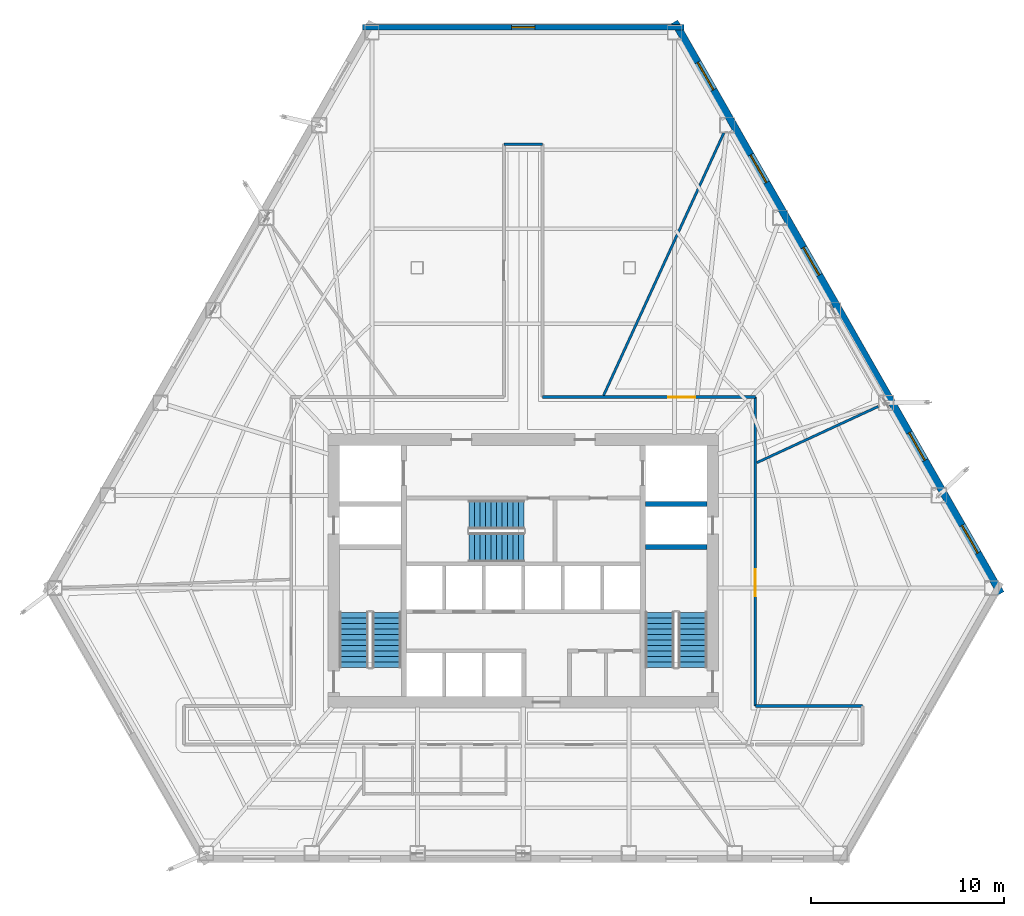
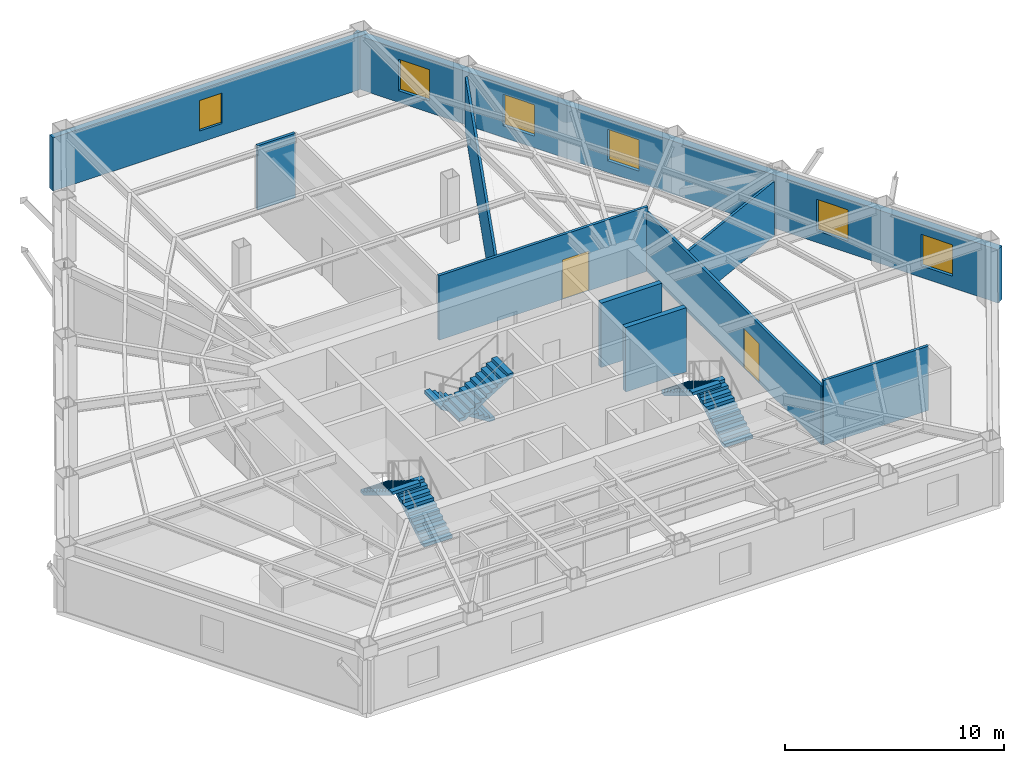
# One storey, part 10 of 12: 10 walls, 6 stair flights, 6 windows, 2 doors, 8 openings, 3 elements without a shape of their own.
"""IFC4 building model written with IfcOpenShell, lengths in metres."""

from ifc_helpers import new_model, si_unit, direction, frame, frame_2d, origin, place, context, subcontext, project, spatial, polyline, rectangle, outline, extrude, material, layer, layer_set, type_object, element, fill, aggregate, save


model = new_model("IFC4")

# Units and contexts
model_context = context("Model", 3, precision=1e-05, world=origin(), true_north=direction((0.0, 1.0)))
body_context = subcontext(model_context, "Body", "Model", "MODEL_VIEW")
ifc_project = project(units=[si_unit("LENGTHUNIT", "METRE"), si_unit("AREAUNIT", "SQUARE_METRE"), si_unit("VOLUMEUNIT", "CUBIC_METRE"), si_unit("PLANEANGLEUNIT", "RADIAN"), si_unit("MASSUNIT", "GRAM", prefix="KILO")], contexts=[model_context])

# Site, building, storey
site_placement = place(None, origin())
site = spatial("IfcSite", under=ifc_project, at=site_placement, CompositionType="ELEMENT")
building_placement = place(site_placement, origin())
building = spatial("IfcBuilding", under=site, at=building_placement, Name="Kavelnor Concourse Tower", CompositionType="ELEMENT")
storey_placement = place(building_placement, frame((0.0, 0.0, 29.10009765625)))
storey = spatial("IfcBuildingStorey", under=building, at=storey_placement, Name="L07", CompositionType="ELEMENT", Elevation=29.10009765625)

# Wall, opening, window
ifc_material_1 = material(Name="Buff ironspot clay face brick masonry", Category="masonry")
ifc_layer_1 = layer(ifc_material_1, 0.300048828125, Name="Buff ironspot clay face brick masonry")
ifc_layer_set_1 = layer_set([ifc_layer_1], Name="Buff ironspot clay face brick masonry")
wall_type_1 = type_object("IfcWallType", Name="WL-EXT-BUFF-BRICK-FOLD-300", PredefinedType="STANDARD", material=ifc_layer_set_1)
wall_1_placement = place(storey_placement, frame((29.681640625, 44.25732421875, 0.0), z_axis=(0.0, 0.0, 1.0), x_axis=(1.0, 0.0, 0.0)))
wall_1 = element("IfcWall", 1, at=wall_1_placement, inside=storey, type_object=wall_type_1, Name="L07 Exterior Brick Facade Wall E0", PredefinedType="STANDARD", context=body_context, shape_type="SweptSolid", body=[
    extrude(rectangle(XDim=16.63671875, YDim=0.300048828125, at=frame_2d((8.318359375, 0.0))), origin(), (0.0, 0.0, 1.0), 2.969970703125),
])
opening_1_placement = place(wall_1_placement, frame((7.718505859375, 0.0, 0.64990234375)))
opening_1 = element("IfcOpeningElement", 2, at=opening_1_placement, cuts=wall_1, Name="Opening W-05", PredefinedType="OPENING", context=body_context, shape_type="SweptSolid", body=[
    extrude(rectangle(XDim=1.199951171875, YDim=1.699951171875, at=frame_2d((0.60009765625, 0.85009765625))), frame((0.0, 0.16015625, 0.0), z_axis=(0.0, -1.0, 0.0), x_axis=(1.0, 0.0, 0.0)), (0.0, 0.0, 1.0), 0.320068359375),
])
ifc_material_2 = material(Name="Double low-E argon insulated glazing", Category="glass")
window_type_1 = type_object("IfcWindowType", Name="WIN-FOLD-1200", PartitioningType="SINGLE_PANEL", PredefinedType="WINDOW", material=ifc_material_2)
window_1_placement = place(opening_1_placement, origin())
window_1 = element("IfcWindow", 3, at=window_1_placement, inside=storey, type_object=window_type_1, Name="L07 Chamfer-Fold Facet Window C0", OverallHeight=1.699951171875, OverallWidth=1.199951171875, PartitioningType="SINGLE_PANEL", PredefinedType="WINDOW", context=body_context, shape_type="SweptSolid", body=[
    extrude(rectangle(XDim=1.199951171875, YDim=1.699951171875, at=frame_2d((0.60009765625, 0.85009765625))), frame((0.0, 0.030029296875, 0.0), z_axis=(0.0, -1.0, 0.0), x_axis=(1.0, 0.0, 0.0)), (0.0, 0.0, 1.0), 0.06005859375),
])
fill(opening_1, window_1)

# Wall, openings, windows
ifc_material_3 = material(Name="Red-ochre clay face brick masonry", Category="masonry")
ifc_layer_2 = layer(ifc_material_3, 0.3798828125, Name="Red-ochre clay face brick masonry")
ifc_layer_set_2 = layer_set([ifc_layer_2], Name="Red-ochre clay face brick masonry")
wall_type_2 = type_object("IfcWallType", Name="WL-EXT-RED-BRICK-PIER-380", PredefinedType="STANDARD", material=ifc_layer_set_2)
wall_2_placement = place(storey_placement, frame((45.8369140625, 44.537109375, 0.0), z_axis=(0.0, 0.0, 1.0), x_axis=(0.495711630902, -0.868487178367, 0.0)))
wall_2 = element("IfcWall", 4, at=wall_2_placement, inside=storey, type_object=wall_type_2, Name="L07 Exterior Brick Facade Wall E5", PredefinedType="STANDARD", context=body_context, shape_type="SweptSolid", body=[
    extrude(rectangle(XDim=34.09228515625, YDim=0.3798828125, at=frame_2d((17.046142578125, 0.0))), origin(), (0.0, 0.0, 1.0), 2.969970703125),
])
opening_2_placement = place(wall_2_placement, frame((30.031494140625, 0.0, 0.64990234375)))
opening_2 = element("IfcOpeningElement", 5, at=opening_2_placement, cuts=wall_2, Name="Opening W-01", PredefinedType="OPENING", context=body_context, shape_type="SweptSolid", body=[
    extrude(rectangle(XDim=1.64990234375, YDim=1.75, at=frame_2d((0.824951171875, 0.875))), frame((0.0, 0.199951171875, 0.0), z_axis=(0.0, -1.0, 0.0), x_axis=(1.0, 0.0, 0.0)), (0.0, 0.0, 1.0), 0.39990234375),
])
opening_3_placement = place(wall_2_placement, frame((24.50830078125, 0.0, 0.64990234375)))
opening_3 = element("IfcOpeningElement", 6, at=opening_3_placement, cuts=wall_2, Name="Opening W-01", PredefinedType="OPENING", context=body_context, shape_type="SweptSolid", body=[
    extrude(rectangle(XDim=1.64990234375, YDim=1.75, at=frame_2d((0.824951171875, 0.875))), frame((0.0, 0.199951171875, 0.0), z_axis=(0.0, -1.0, 0.0), x_axis=(1.0, 0.0, 0.0)), (0.0, 0.0, 1.0), 0.39990234375),
])
opening_4_placement = place(wall_2_placement, frame((13.4619140625, 0.0, 0.64990234375)))
opening_4 = element("IfcOpeningElement", 7, at=opening_4_placement, cuts=wall_2, Name="Opening W-01", PredefinedType="OPENING", context=body_context, shape_type="SweptSolid", body=[
    extrude(rectangle(XDim=1.64990234375, YDim=1.75, at=frame_2d((0.824951171875, 0.875))), frame((0.0, 0.199951171875, 0.0), z_axis=(0.0, -1.0, 0.0), x_axis=(1.0, 0.0, 0.0)), (0.0, 0.0, 1.0), 0.39990234375),
])
opening_5_placement = place(wall_2_placement, frame((7.938720703125, 0.0, 0.64990234375)))
opening_5 = element("IfcOpeningElement", 8, at=opening_5_placement, cuts=wall_2, Name="Opening W-01", PredefinedType="OPENING", context=body_context, shape_type="SweptSolid", body=[
    extrude(rectangle(XDim=1.64990234375, YDim=1.75, at=frame_2d((0.824951171875, 0.875))), frame((0.0, 0.199951171875, 0.0), z_axis=(0.0, -1.0, 0.0), x_axis=(1.0, 0.0, 0.0)), (0.0, 0.0, 1.0), 0.39990234375),
])
opening_6_placement = place(wall_2_placement, frame((2.415283203125, 0.0, 0.64990234375)))
opening_6 = element("IfcOpeningElement", 9, at=opening_6_placement, cuts=wall_2, Name="Opening W-01", PredefinedType="OPENING", context=body_context, shape_type="SweptSolid", body=[
    extrude(rectangle(XDim=1.64990234375, YDim=1.75, at=frame_2d((0.824951171875, 0.875))), frame((0.0, 0.199951171875, 0.0), z_axis=(0.0, -1.0, 0.0), x_axis=(1.0, 0.0, 0.0)), (0.0, 0.0, 1.0), 0.39990234375),
])
window_type_2 = type_object("IfcWindowType", Name="WIN-PIER-Z1-1800", PartitioningType="SINGLE_PANEL", PredefinedType="WINDOW", material=ifc_material_2)
window_2_placement = place(opening_2_placement, origin())
window_2 = element("IfcWindow", 10, at=window_2_placement, inside=storey, type_object=window_type_2, Name="L07 Deep-Set Brick Pier Window F2-B0", OverallHeight=1.75, OverallWidth=1.64990234375, PartitioningType="SINGLE_PANEL", PredefinedType="WINDOW", context=body_context, shape_type="SweptSolid", body=[
    extrude(rectangle(XDim=1.64990234375, YDim=1.75, at=frame_2d((0.824951171875, 0.875))), frame((0.0, 0.030029296875, 0.0), z_axis=(0.0, -1.0, 0.0), x_axis=(1.0, 0.0, 0.0)), (0.0, 0.0, 1.0), 0.06005859375),
])
fill(opening_2, window_2)
window_3_placement = place(opening_3_placement, origin())
window_3 = element("IfcWindow", 11, at=window_3_placement, inside=storey, type_object=window_type_2, Name="L07 Deep-Set Brick Pier Window F2-B1", OverallHeight=1.75, OverallWidth=1.64990234375, PartitioningType="SINGLE_PANEL", PredefinedType="WINDOW", context=body_context, shape_type="SweptSolid", body=[
    extrude(rectangle(XDim=1.64990234375, YDim=1.75, at=frame_2d((0.824951171875, 0.875))), frame((0.0, 0.030029296875, 0.0), z_axis=(0.0, -1.0, 0.0), x_axis=(1.0, 0.0, 0.0)), (0.0, 0.0, 1.0), 0.06005859375),
])
fill(opening_3, window_3)
window_4_placement = place(opening_4_placement, origin())
window_4 = element("IfcWindow", 12, at=window_4_placement, inside=storey, type_object=window_type_2, Name="L07 Deep-Set Brick Pier Window F2-B3", OverallHeight=1.75, OverallWidth=1.64990234375, PartitioningType="SINGLE_PANEL", PredefinedType="WINDOW", context=body_context, shape_type="SweptSolid", body=[
    extrude(rectangle(XDim=1.64990234375, YDim=1.75, at=frame_2d((0.824951171875, 0.875))), frame((0.0, 0.030029296875, 0.0), z_axis=(0.0, -1.0, 0.0), x_axis=(1.0, 0.0, 0.0)), (0.0, 0.0, 1.0), 0.06005859375),
])
fill(opening_4, window_4)
window_5_placement = place(opening_5_placement, origin())
window_5 = element("IfcWindow", 13, at=window_5_placement, inside=storey, type_object=window_type_2, Name="L07 Deep-Set Brick Pier Window F2-B4", OverallHeight=1.75, OverallWidth=1.64990234375, PartitioningType="SINGLE_PANEL", PredefinedType="WINDOW", context=body_context, shape_type="SweptSolid", body=[
    extrude(rectangle(XDim=1.64990234375, YDim=1.75, at=frame_2d((0.824951171875, 0.875))), frame((0.0, 0.030029296875, 0.0), z_axis=(0.0, -1.0, 0.0), x_axis=(1.0, 0.0, 0.0)), (0.0, 0.0, 1.0), 0.06005859375),
])
fill(opening_5, window_5)
window_6_placement = place(opening_6_placement, origin())
window_6 = element("IfcWindow", 14, at=window_6_placement, inside=storey, type_object=window_type_2, Name="L07 Deep-Set Brick Pier Window F2-B5", OverallHeight=1.75, OverallWidth=1.64990234375, PartitioningType="SINGLE_PANEL", PredefinedType="WINDOW", context=body_context, shape_type="SweptSolid", body=[
    extrude(rectangle(XDim=1.64990234375, YDim=1.75, at=frame_2d((0.824951171875, 0.875))), frame((0.0, 0.030029296875, 0.0), z_axis=(0.0, -1.0, 0.0), x_axis=(1.0, 0.0, 0.0)), (0.0, 0.0, 1.0), 0.06005859375),
])
fill(opening_6, window_6)

# Wall
ifc_material_4 = material(Name="Gypsum plasterboard on light-gauge steel studs", Category="steel")
ifc_layer_3 = layer(ifc_material_4, 0.14501953125, Name="Gypsum plasterboard on light-gauge steel studs")
ifc_layer_set_3 = layer_set([ifc_layer_3], Name="Gypsum plasterboard on light-gauge steel studs")
wall_type_3 = type_object("IfcWallType", Name="WL-INT-CORR-145", PredefinedType="PARTITIONING", material=ifc_layer_set_3)
wall_3_placement = place(storey_placement, frame((37.0, 38.199951171875, 0.0), z_axis=(0.0, 0.0, 1.0), x_axis=(1.0, 0.0, 0.0)))
element("IfcWall", 15, at=wall_3_placement, inside=storey, type_object=wall_type_3, Name="L07 Corridor Wall WL-L07-CR-05", PredefinedType="PARTITIONING", context=body_context, shape_type="SweptSolid", body=[
    extrude(rectangle(XDim=2.0, YDim=0.14501953125, at=frame_2d((1.0, 0.0))), origin(), (0.0, 0.0, 1.0), 3.58984375),
])

# Wall, opening, door
wall_4_placement = place(storey_placement, frame((39.0, 25.10009765625, 0.0), z_axis=(0.0, 0.0, 1.0), x_axis=(1.0, 0.0, 0.0)))
wall_4 = element("IfcWall", 16, at=wall_4_placement, inside=storey, type_object=wall_type_3, Name="L07 Corridor Wall WL-L07-CR-07", PredefinedType="PARTITIONING", context=body_context, shape_type="SweptSolid", body=[
    extrude(rectangle(XDim=11.02001953125, YDim=0.14501953125, at=frame_2d((5.510009765625, 0.0))), origin(), (0.0, 0.0, 1.0), 3.58984375),
])
opening_7_placement = place(wall_4_placement, frame((6.5048828125, 0.0, 0.0)))
opening_7 = element("IfcOpeningElement", 17, at=opening_7_placement, cuts=wall_4, Name="Opening SD-140", PredefinedType="OPENING", context=body_context, shape_type="SweptSolid", body=[
    extrude(rectangle(XDim=1.39990234375, YDim=2.199951171875, at=frame_2d((0.699951171875, 1.10009765625))), frame((0.0, 0.08251953125, 0.0), z_axis=(0.0, -1.0, 0.0), x_axis=(1.0, 0.0, 0.0)), (0.0, 0.0, 1.0), 0.1650390625),
])
ifc_material_5 = material(Name="Solid-core hardwood timber", Category="wood")
door_type = type_object("IfcDoorType", Name="DR-SUITE-ENTRY-1400", OperationType="NOTDEFINED", PredefinedType="DOOR", material=ifc_material_5)
door_1_placement = place(opening_7_placement, origin())
door_1 = element("IfcDoor", 18, at=door_1_placement, inside=storey, type_object=door_type, Name="L07 Workplace Open Office 01 Door", OperationType="SINGLE_SWING_LEFT", OverallHeight=2.199951171875, OverallWidth=1.39990234375, PredefinedType="DOOR", context=body_context, shape_type="SweptSolid", body=[
    extrude(rectangle(XDim=1.39990234375, YDim=2.199951171875, at=frame_2d((0.699951171875, 1.10009765625))), frame((0.0, 0.02490234375, 0.0), z_axis=(0.0, -1.0, 0.0), x_axis=(1.0, 0.0, 0.0)), (0.0, 0.0, 1.0), 0.050048828125),
])
fill(opening_7, door_1)

wall_5_placement = place(storey_placement, frame((50.02001953125, 25.10009765625, 0.0), z_axis=(0.0, 0.0, 1.0), x_axis=(0.0, -1.0, 0.0)))
wall_5 = element("IfcWall", 19, at=wall_5_placement, inside=storey, type_object=wall_type_3, Name="L07 Corridor Wall WL-L07-CR-08", PredefinedType="PARTITIONING", context=body_context, shape_type="SweptSolid", body=[
    extrude(rectangle(XDim=16.0, YDim=0.14501953125, at=frame_2d((8.0, 0.0))), origin(), (0.0, 0.0, 1.0), 3.27783203125),
])
opening_8_placement = place(wall_5_placement, frame((8.91552734375, 0.0, 0.0)))
opening_8 = element("IfcOpeningElement", 20, at=opening_8_placement, cuts=wall_5, Name="Opening SD-140", PredefinedType="OPENING", context=body_context, shape_type="SweptSolid", body=[
    extrude(rectangle(XDim=1.39990234375, YDim=2.199951171875, at=frame_2d((0.699951171875, 1.10009765625))), frame((0.0, 0.08251953125, 0.0), z_axis=(0.0, -1.0, 0.0), x_axis=(1.0, 0.0, 0.0)), (0.0, 0.0, 1.0), 0.1650390625),
])
door_2_placement = place(opening_8_placement, origin())
door_2 = element("IfcDoor", 21, at=door_2_placement, inside=storey, type_object=door_type, Name="L07 Workplace Open Office 06 Door", OperationType="SINGLE_SWING_RIGHT", OverallHeight=2.199951171875, OverallWidth=1.39990234375, PredefinedType="DOOR", context=body_context, shape_type="SweptSolid", body=[
    extrude(rectangle(XDim=1.39990234375, YDim=2.199951171875, at=frame_2d((0.699951171875, 1.10009765625))), frame((0.0, 0.02490234375, 0.0), z_axis=(0.0, -1.0, 0.0), x_axis=(1.0, 0.0, 0.0)), (0.0, 0.0, 1.0), 0.050048828125),
])
fill(opening_8, door_2)

# Walls
wall_6_placement = place(storey_placement, frame((50.02001953125, 9.10009765625, 0.0), z_axis=(0.0, 0.0, 1.0), x_axis=(1.0, 0.0, 0.0)))
element("IfcWall", 22, at=wall_6_placement, inside=storey, type_object=wall_type_3, Name="L07 Corridor Wall WL-L07-CR-09", PredefinedType="PARTITIONING", context=body_context, shape_type="SweptSolid", body=[
    extrude(rectangle(XDim=5.549560546875, YDim=0.14501953125, at=frame_2d((2.77490234375, 0.0))), origin(), (0.0, 0.0, 1.0), 3.58984375),
])
ifc_layer_4 = layer(ifc_material_4, 0.125, Name="Gypsum plasterboard on light-gauge steel studs")
ifc_layer_set_4 = layer_set([ifc_layer_4], Name="Gypsum plasterboard on light-gauge steel studs")
wall_type_4 = type_object("IfcWallType", Name="WL-INT-SUITE-125", PredefinedType="PARTITIONING", material=ifc_layer_set_4)
wall_7_placement = place(storey_placement, frame((50.1005859375, 21.7021484375, 0.0), z_axis=(0.0, 0.0, 1.0), x_axis=(0.907458193586, 0.420142388832, 0.0)))
element("IfcWall", 23, at=wall_7_placement, inside=storey, type_object=wall_type_4, Name="L07 Radial Suite Partition 01", PredefinedType="PARTITIONING", context=body_context, shape_type="SweptSolid", body=[
    extrude(rectangle(XDim=6.923583984375, YDim=0.125, at=frame_2d((3.4619140625, 0.0))), origin(), (0.0, 0.0, 1.0), 3.056884765625),
])
wall_8_placement = place(storey_placement, frame((42.15966796875, 25.180419921875, 0.0), z_axis=(0.0, 0.0, 1.0), x_axis=(0.416471526835, 0.90914875974, 0.0)))
element("IfcWall", 24, at=wall_8_placement, inside=storey, type_object=wall_type_4, Name="L07 Radial Suite Partition 02", PredefinedType="PARTITIONING", context=body_context, shape_type="SweptSolid", body=[
    extrude(rectangle(XDim=14.96142578125, YDim=0.125, at=frame_2d((7.480712890625, 0.0))), origin(), (0.0, 0.0, 1.0), 3.056884765625),
])
ifc_material_6 = material(Name="Concrete C50/60", Category="concrete")
ifc_layer_5 = layer(ifc_material_6, 0.260009765625, Name="Concrete C50/60")
ifc_layer_set_5 = layer_set([ifc_layer_5], Name="Concrete C50/60")
wall_type_5 = type_object("IfcWallType", Name="WL-SHAFT-260", PredefinedType="SHEAR", material=ifc_layer_set_5)
for number, where, z_axis, x_axis, name in (
    (25, (44.320068359375, 17.330078125, 0.0), (0.0, 0.0, 1.0), (1.0, 0.0, 0.0), "L07 Stair ST2 North Shaft Wall"),
    (26, (44.320068359375, 19.570068359375, 0.0), (0.0, 0.0, 1.0), (1.0, 0.0, 0.0), "L07 Emergency Lift FL2 South Shaft Wall"),
):
    element("IfcWall", number, at=place(storey_placement, frame(where, z_axis=z_axis, x_axis=x_axis)), inside=storey, type_object=wall_type_5, Name=name, PredefinedType="SHEAR", context=body_context, shape_type="SweptSolid", body=[
        extrude(rectangle(XDim=3.199951171875, YDim=0.260009765625, at=frame_2d((1.60009765625, 0.0))), origin(), (0.0, 0.0, 1.0), 3.58984375),
    ])

# Stair, stair flights
ifc_material_7 = material(Name="Concrete C40/50", Category="concrete")
stair_type = type_object("IfcStairType", Name="STR-CORE-1500", PredefinedType="HALF_TURN_STAIR", material=ifc_material_7)
stair_1_placement = place(storey_placement, origin())
stair_1 = element("IfcStair", 27, at=stair_1_placement, inside=storey, type_object=stair_type, Name="L07 ST1", PredefinedType="HALF_TURN_STAIR")
stair_flight_type = type_object("IfcStairFlightType", Name="STR-FLIGHT-1500", PredefinedType="STRAIGHT", material=ifc_material_7)
stair_flight_1_placement = place(storey_placement, frame((30.929931640625, 11.10009765625, 0.0), z_axis=(0.0, 0.0, 1.0), x_axis=(0.0, 1.0, 0.0)))
stair_flight_1 = element("IfcStairFlight", 28, at=stair_flight_1_placement, type_object=stair_flight_type, Name="ST1 flight 1", NumberOfRisers=11, NumberOfTreads=10, PredefinedType="STRAIGHT", RiserHeight=0.175, TreadLength=0.285, context=body_context, shape_type="SweptSolid", body=[
    extrude(outline(polyline([(0.0, 0.0), (0.0, 0.175048828125), (0.284912109375, 0.175048828125), (0.284912109375, 0.35009765625), (0.570068359375, 0.35009765625), (0.570068359375, 0.52490234375), (0.85498046875, 0.52490234375), (0.85498046875, 0.699951171875), (1.139892578125, 0.699951171875), (1.139892578125, 0.875), (1.425048828125, 0.875), (1.425048828125, 1.050048828125), (1.7099609375, 1.050048828125), (1.7099609375, 1.22509765625), (1.9951171875, 1.22509765625), (1.9951171875, 1.39990234375), (2.280029296875, 1.39990234375), (2.280029296875, 1.574951171875), (2.56494140625, 1.574951171875), (2.56494140625, 1.75), (2.85009765625, 1.75), (2.85009765625, 1.925048828125), (2.85009765625, 1.573974609375), (0.286376953125, 0.0), (0.0, 0.0)])), frame((0.0, 0.75, 0.0), z_axis=(0.0, -1.0, 0.0), x_axis=(1.0, 0.0, 0.0)), (0.0, 0.0, 1.0), 1.5),
])
stair_flight_2_placement = place(storey_placement, frame((29.22998046875, 13.949951171875, 1.9248046875), z_axis=(0.0, 0.0, 1.0), x_axis=(0.0, -1.0, 0.0)))
stair_flight_2 = element("IfcStairFlight", 29, at=stair_flight_2_placement, type_object=stair_flight_type, Name="ST1 flight 2", NumberOfRisers=11, NumberOfTreads=10, PredefinedType="STRAIGHT", RiserHeight=0.175, TreadLength=0.285, context=body_context, shape_type="SweptSolid", body=[
    extrude(outline(polyline([(0.0, 0.0), (0.0, 0.175048828125), (0.284912109375, 0.175048828125), (0.284912109375, 0.35009765625), (0.570068359375, 0.35009765625), (0.570068359375, 0.52490234375), (0.85498046875, 0.52490234375), (0.85498046875, 0.699951171875), (1.139892578125, 0.699951171875), (1.139892578125, 0.875), (1.425048828125, 0.875), (1.425048828125, 1.050048828125), (1.7099609375, 1.050048828125), (1.7099609375, 1.22509765625), (1.9951171875, 1.22509765625), (1.9951171875, 1.39990234375), (2.280029296875, 1.39990234375), (2.280029296875, 1.574951171875), (2.56494140625, 1.574951171875), (2.56494140625, 1.75), (2.85009765625, 1.75), (2.85009765625, 1.925048828125), (2.85009765625, 1.573974609375), (0.286376953125, 0.0), (0.0, 0.0)])), frame((0.0, 0.75, 0.0), z_axis=(0.0, -1.0, 0.0), x_axis=(1.0, 0.0, 0.0)), (0.0, 0.0, 1.0), 1.5),
])
aggregate(stair_1, [stair_flight_1, stair_flight_2])

stair_2_placement = place(storey_placement, origin())
stair_2 = element("IfcStair", 30, at=stair_2_placement, inside=storey, type_object=stair_type, Name="L07 ST2", PredefinedType="HALF_TURN_STAIR")
stair_flight_3_placement = place(storey_placement, frame((46.77001953125, 11.10009765625, 0.0), z_axis=(0.0, 0.0, 1.0), x_axis=(0.0, 1.0, 0.0)))
stair_flight_3 = element("IfcStairFlight", 31, at=stair_flight_3_placement, type_object=stair_flight_type, Name="ST2 flight 1", NumberOfRisers=11, NumberOfTreads=10, PredefinedType="STRAIGHT", RiserHeight=0.175, TreadLength=0.285, context=body_context, shape_type="SweptSolid", body=[
    extrude(outline(polyline([(0.0, 0.0), (0.0, 0.175048828125), (0.284912109375, 0.175048828125), (0.284912109375, 0.35009765625), (0.570068359375, 0.35009765625), (0.570068359375, 0.52490234375), (0.85498046875, 0.52490234375), (0.85498046875, 0.699951171875), (1.139892578125, 0.699951171875), (1.139892578125, 0.875), (1.425048828125, 0.875), (1.425048828125, 1.050048828125), (1.7099609375, 1.050048828125), (1.7099609375, 1.22509765625), (1.9951171875, 1.22509765625), (1.9951171875, 1.39990234375), (2.280029296875, 1.39990234375), (2.280029296875, 1.574951171875), (2.56494140625, 1.574951171875), (2.56494140625, 1.75), (2.85009765625, 1.75), (2.85009765625, 1.925048828125), (2.85009765625, 1.573974609375), (0.286376953125, 0.0), (0.0, 0.0)])), frame((0.0, 0.75, 0.0), z_axis=(0.0, -1.0, 0.0), x_axis=(1.0, 0.0, 0.0)), (0.0, 0.0, 1.0), 1.5),
])
stair_flight_4_placement = place(storey_placement, frame((45.070068359375, 13.949951171875, 1.9248046875), z_axis=(0.0, 0.0, 1.0), x_axis=(0.0, -1.0, 0.0)))
stair_flight_4 = element("IfcStairFlight", 32, at=stair_flight_4_placement, type_object=stair_flight_type, Name="ST2 flight 2", NumberOfRisers=11, NumberOfTreads=10, PredefinedType="STRAIGHT", RiserHeight=0.175, TreadLength=0.285, context=body_context, shape_type="SweptSolid", body=[
    extrude(outline(polyline([(0.0, 0.0), (0.0, 0.175048828125), (0.284912109375, 0.175048828125), (0.284912109375, 0.35009765625), (0.570068359375, 0.35009765625), (0.570068359375, 0.52490234375), (0.85498046875, 0.52490234375), (0.85498046875, 0.699951171875), (1.139892578125, 0.699951171875), (1.139892578125, 0.875), (1.425048828125, 0.875), (1.425048828125, 1.050048828125), (1.7099609375, 1.050048828125), (1.7099609375, 1.22509765625), (1.9951171875, 1.22509765625), (1.9951171875, 1.39990234375), (2.280029296875, 1.39990234375), (2.280029296875, 1.574951171875), (2.56494140625, 1.574951171875), (2.56494140625, 1.75), (2.85009765625, 1.75), (2.85009765625, 1.925048828125), (2.85009765625, 1.573974609375), (0.286376953125, 0.0), (0.0, 0.0)])), frame((0.0, 0.75, 0.0), z_axis=(0.0, -1.0, 0.0), x_axis=(1.0, 0.0, 0.0)), (0.0, 0.0, 1.0), 1.5),
])
aggregate(stair_2, [stair_flight_3, stair_flight_4])

stair_3_placement = place(storey_placement, origin())
stair_3 = element("IfcStair", 33, at=stair_3_placement, inside=storey, type_object=stair_type, Name="L07 ST3", PredefinedType="HALF_TURN_STAIR")
stair_flight_5_placement = place(storey_placement, frame((38.0400390625, 19.010009765625, 0.0), z_axis=(0.0, 0.0, 1.0), x_axis=(-1.0, 0.0, 0.0)))
stair_flight_5 = element("IfcStairFlight", 34, at=stair_flight_5_placement, type_object=stair_flight_type, Name="ST3 flight 1", NumberOfRisers=11, NumberOfTreads=10, PredefinedType="STRAIGHT", RiserHeight=0.175, TreadLength=0.285, context=body_context, shape_type="SweptSolid", body=[
    extrude(outline(polyline([(0.0, 0.0), (0.0, 0.175048828125), (0.284912109375, 0.175048828125), (0.284912109375, 0.35009765625), (0.570068359375, 0.35009765625), (0.570068359375, 0.52490234375), (0.85498046875, 0.52490234375), (0.85498046875, 0.699951171875), (1.139892578125, 0.699951171875), (1.139892578125, 0.875), (1.425048828125, 0.875), (1.425048828125, 1.050048828125), (1.7099609375, 1.050048828125), (1.7099609375, 1.22509765625), (1.9951171875, 1.22509765625), (1.9951171875, 1.39990234375), (2.280029296875, 1.39990234375), (2.280029296875, 1.574951171875), (2.56494140625, 1.574951171875), (2.56494140625, 1.75), (2.85009765625, 1.75), (2.85009765625, 1.925048828125), (2.85009765625, 1.573974609375), (0.286376953125, 0.0), (0.0, 0.0)])), frame((0.0, 0.75, 0.0), z_axis=(0.0, -1.0, 0.0), x_axis=(1.0, 0.0, 0.0)), (0.0, 0.0, 1.0), 1.5),
])
stair_flight_6_placement = place(storey_placement, frame((35.18994140625, 17.31005859375, 1.9248046875), z_axis=(0.0, 0.0, 1.0), x_axis=(1.0, 0.0, 0.0)))
stair_flight_6 = element("IfcStairFlight", 35, at=stair_flight_6_placement, type_object=stair_flight_type, Name="ST3 flight 2", NumberOfRisers=11, NumberOfTreads=10, PredefinedType="STRAIGHT", RiserHeight=0.175, TreadLength=0.285, context=body_context, shape_type="SweptSolid", body=[
    extrude(outline(polyline([(0.0, 0.0), (0.0, 0.175048828125), (0.284912109375, 0.175048828125), (0.284912109375, 0.35009765625), (0.570068359375, 0.35009765625), (0.570068359375, 0.52490234375), (0.85498046875, 0.52490234375), (0.85498046875, 0.699951171875), (1.139892578125, 0.699951171875), (1.139892578125, 0.875), (1.425048828125, 0.875), (1.425048828125, 1.050048828125), (1.7099609375, 1.050048828125), (1.7099609375, 1.22509765625), (1.9951171875, 1.22509765625), (1.9951171875, 1.39990234375), (2.280029296875, 1.39990234375), (2.280029296875, 1.574951171875), (2.56494140625, 1.574951171875), (2.56494140625, 1.75), (2.85009765625, 1.75), (2.85009765625, 1.925048828125), (2.85009765625, 1.573974609375), (0.286376953125, 0.0), (0.0, 0.0)])), frame((0.0, 0.75, 0.0), z_axis=(0.0, -1.0, 0.0), x_axis=(1.0, 0.0, 0.0)), (0.0, 0.0, 1.0), 1.5),
])
aggregate(stair_3, [stair_flight_5, stair_flight_6])

save(model, "model.ifc")
